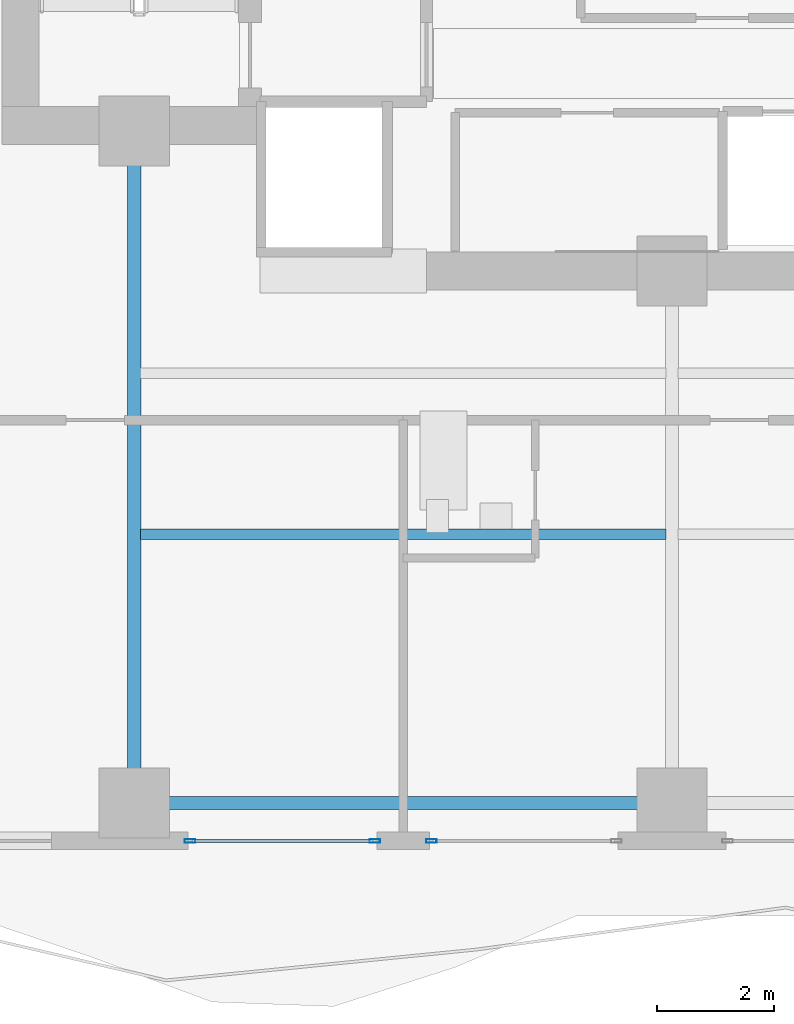
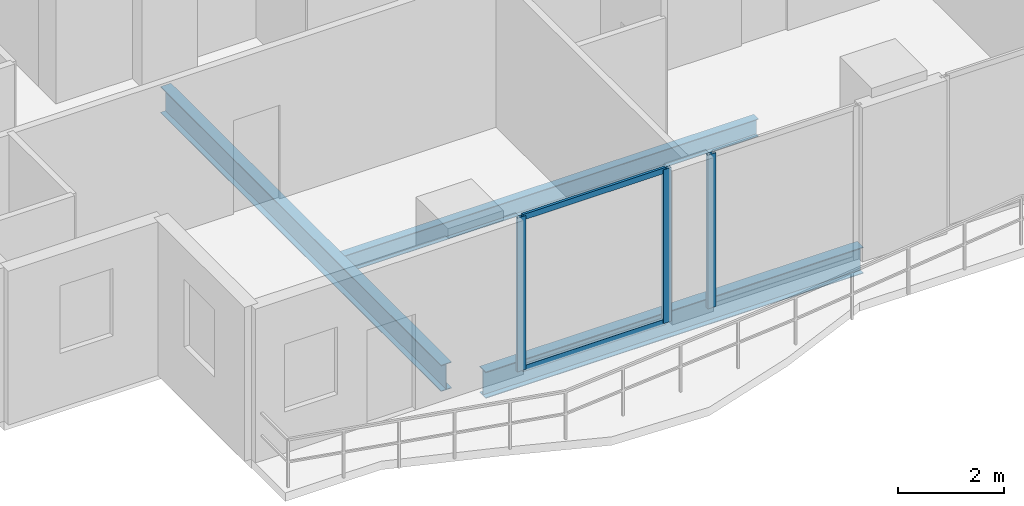
# One storey, part 2 of 33: 5 members, 3 beams, 2 elements without a shape of their own.
"""IFC4 building model written with IfcOpenShell, lengths in metres."""

from ifc_helpers import new_model, si_unit, direction, frame, origin, origin_2d, place, context, subcontext, project, spatial, hollow_rectangle, i_section, extrude, material, layer, layer_set, material_profile, profile_set, type_object, element, aggregate, save


model = new_model("IFC4")

# Units and contexts
model_context = context("Model", 3, precision=1e-05, world=origin(), true_north=direction((0.0, 1.0)))
body_context = subcontext(model_context, "Body", "Model", "MODEL_VIEW")
ifc_project = project(units=[si_unit("LENGTHUNIT", "METRE"), si_unit("AREAUNIT", "SQUARE_METRE"), si_unit("VOLUMEUNIT", "CUBIC_METRE"), si_unit("PLANEANGLEUNIT", "RADIAN"), si_unit("MASSUNIT", "GRAM", prefix="KILO")], contexts=[model_context])

# Site, building, storey
site_placement = place(None, origin())
site = spatial("IfcSite", under=ifc_project, at=site_placement, CompositionType="ELEMENT")
building_placement = place(site_placement, origin())
building = spatial("IfcBuilding", under=site, at=building_placement, Name="Zuhayl Quay Hotel", CompositionType="ELEMENT")
storey_placement = place(building_placement, frame((0.0, 0.0, 222.39990234375)))
storey = spatial("IfcBuildingStorey", under=building, at=storey_placement, Name="L56", CompositionType="ELEMENT", Elevation=222.39990234375)

# Beams
ifc_material_1 = material(Name="Steel ASTM A992 Grade 50", Category="steel")
ifc_material_profile_1 = material_profile(ifc_material_1, i_section(OverallWidth=0.22802734375, OverallDepth=0.60693359375, WebThickness=0.01123046875, FlangeThickness=0.017333984375, at=origin_2d()), Name="W24X76")
ifc_profile_set_1 = profile_set([ifc_material_profile_1], Name="Steel ASTM A992 Grade 50")
beam_type_1 = type_object("IfcBeamType", Name="BM_B3_W24X76", PredefinedType="BEAM", material=ifc_profile_set_1)
beam_1_placement = place(storey_placement, frame((-13.300048828125, -6.949951171875, -0.5234375), z_axis=(1.0, 0.0, 0.0), x_axis=(0.0, 1.0, 0.0)))
element("IfcBeam", 1, at=beam_1_placement, inside=storey, type_object=beam_type_1, Name="L56 Floor Beam RG_L56_01", PredefinedType="BEAM", context=body_context, shape_type="SweptSolid", body=[
    extrude(i_section(OverallWidth=0.22802734375, OverallDepth=0.60693359375, WebThickness=0.01123046875, FlangeThickness=0.017333984375, at=origin_2d()), origin(), (0.0, 0.0, 1.0), 8.199951171875),
])
beam_2_placement = place(storey_placement, frame((-13.800048828125, -6.449951171875, -0.5234375), z_axis=(0.0, 1.0, 0.0), x_axis=(-1.0, 0.0, 0.0)))
element("IfcBeam", 2, at=beam_2_placement, inside=storey, type_object=beam_type_1, Name="L56 Floor Beam FG_S_L56_1", PredefinedType="BEAM", context=body_context, shape_type="SweptSolid", body=[
    extrude(i_section(OverallWidth=0.22802734375, OverallDepth=0.60693359375, WebThickness=0.01123046875, FlangeThickness=0.017333984375, at=origin_2d()), origin(), (0.0, 0.0, 1.0), 10.550048828125),
])
ifc_material_profile_2 = material_profile(ifc_material_1, i_section(OverallWidth=0.177978515625, OverallDepth=0.406005859375, WebThickness=0.0078125, FlangeThickness=0.0126953125, at=origin_2d()), Name="W16X40")
ifc_profile_set_2 = profile_set([ifc_material_profile_2], Name="Steel ASTM A992 Grade 50")
beam_type_2 = type_object("IfcBeamType", Name="BM_J2B_W16X40", PredefinedType="JOIST", material=ifc_profile_set_2)
beam_3_placement = place(storey_placement, frame((-13.694091796875, -2.35009765625, -0.4228515625), z_axis=(1.0, 0.0, 0.0), x_axis=(0.0, 1.0, 0.0)))
element("IfcBeam", 3, at=beam_3_placement, inside=storey, type_object=beam_type_2, Name="L56 Floor Beam FJ_L56_7_1", PredefinedType="JOIST", context=body_context, shape_type="SweptSolid", body=[
    extrude(i_section(OverallWidth=0.177978515625, OverallDepth=0.406005859375, WebThickness=0.0078125, FlangeThickness=0.0126953125, at=origin_2d()), origin(), (0.0, 0.0, 1.0), 8.988037109375),
])

# Curtain wall, member
ifc_material_2 = material(Name="Anodised Aluminium 6063-T6", Category="aluminium")
ifc_layer = layer(ifc_material_2, 0.175048828125, Name="Anodised Aluminium 6063-T6", Category="aluminium")
ifc_layer_set = layer_set([ifc_layer], Name="Anodised Aluminium 6063-T6")
curtain_wall_type = type_object("IfcCurtainWallType", Name="CW_SYS_Z3", PredefinedType="USERDEFINED", material=ifc_layer_set)
curtain_wall_1_placement = place(storey_placement, origin())
curtain_wall_1 = element("IfcCurtainWall", 4, at=curtain_wall_1_placement, inside=storey, type_object=curtain_wall_type, Name="L56 Curtain Wall ENV_L56_S_CW6", ObjectType="UNITISED CURTAIN WALL", PredefinedType="USERDEFINED")
ifc_material_3 = material(Name="Black-anodised aluminium 6063-T6", Category="aluminium")
ifc_material_profile_3 = material_profile(ifc_material_3, hollow_rectangle(XDim=0.06494140625, YDim=0.179931640625, WallThickness=0.00341796875, at=origin_2d()), Name="ALU180X65")
ifc_profile_set_3 = profile_set([ifc_material_profile_3], Name="Black-anodised aluminium 6063-T6")
member_type_1 = type_object("IfcMemberType", Name="MB_CW_MUL_180", PredefinedType="MULLION", material=ifc_profile_set_3)
member_1_placement = place(storey_placement, frame((-8.717529296875, -7.60009765625, 0.0), z_axis=(0.0, 0.0, 1.0), x_axis=(0.0, -1.0, 0.0)))
member_1 = element("IfcMember", 5, at=member_1_placement, type_object=member_type_1, Name="CW-Z3 mullion 2", PredefinedType="MULLION", context=body_context, shape_type="SweptSolid", body=[
    extrude(hollow_rectangle(XDim=0.06494140625, YDim=0.179931640625, WallThickness=0.00341796875, at=origin_2d()), origin(), (0.0, 0.0, 1.0), 3.530029296875),
])
aggregate(curtain_wall_1, [member_1])

# Curtain wall, members
curtain_wall_2_placement = place(storey_placement, origin())
curtain_wall_2 = element("IfcCurtainWall", 6, at=curtain_wall_2_placement, inside=storey, type_object=curtain_wall_type, Name="L56 Curtain Wall ENV_L56_S_CW7", ObjectType="UNITISED CURTAIN WALL", PredefinedType="USERDEFINED")
member_2_placement = place(storey_placement, frame((-9.6826171875, -7.60009765625, 0.0), z_axis=(0.0, 0.0, 1.0), x_axis=(0.0, -1.0, 0.0)))
member_2 = element("IfcMember", 7, at=member_2_placement, type_object=member_type_1, Name="CW-Z3 mullion 1", PredefinedType="MULLION", context=body_context, shape_type="SweptSolid", body=[
    extrude(hollow_rectangle(XDim=0.06494140625, YDim=0.179931640625, WallThickness=0.00341796875, at=origin_2d()), origin(), (0.0, 0.0, 1.0), 3.530029296875),
])
member_3_placement = place(storey_placement, frame((-12.847412109375, -7.60009765625, 0.0), z_axis=(0.0, 0.0, 1.0), x_axis=(0.0, -1.0, 0.0)))
member_3 = element("IfcMember", 8, at=member_3_placement, type_object=member_type_1, Name="CW-Z3 mullion 2", PredefinedType="MULLION", context=body_context, shape_type="SweptSolid", body=[
    extrude(hollow_rectangle(XDim=0.06494140625, YDim=0.179931640625, WallThickness=0.00341796875, at=origin_2d()), origin(), (0.0, 0.0, 1.0), 3.530029296875),
])
ifc_material_profile_4 = material_profile(ifc_material_3, hollow_rectangle(XDim=0.054931640625, YDim=0.1298828125, WallThickness=0.0029296875, at=origin_2d()), Name="ALU130X55")
ifc_profile_set_4 = profile_set([ifc_material_profile_4], Name="Black-anodised aluminium 6063-T6")
member_type_2 = type_object("IfcMemberType", Name="MB_CW_TRN_130", PredefinedType="USERDEFINED", material=ifc_profile_set_4)
member_4_placement = place(storey_placement, frame((-9.715087890625, -7.60009765625, 0.027587890625), z_axis=(-1.0, 0.0, 0.0), x_axis=(0.0, -1.0, 0.0)))
member_4 = element("IfcMember", 9, at=member_4_placement, type_object=member_type_2, Name="CW-Z3 transom 1.1", ObjectType="TRANSOM", PredefinedType="USERDEFINED", context=body_context, shape_type="SweptSolid", body=[
    extrude(hollow_rectangle(XDim=0.054931640625, YDim=0.1298828125, WallThickness=0.0029296875, at=origin_2d()), origin(), (0.0, 0.0, 1.0), 3.099853515625),
])
member_5_placement = place(storey_placement, frame((-9.715087890625, -7.60009765625, 3.502685546875), z_axis=(-1.0, 0.0, 0.0), x_axis=(0.0, -1.0, 0.0)))
member_5 = element("IfcMember", 10, at=member_5_placement, type_object=member_type_2, Name="CW-Z3 transom 1.2", ObjectType="TRANSOM", PredefinedType="USERDEFINED", context=body_context, shape_type="SweptSolid", body=[
    extrude(hollow_rectangle(XDim=0.054931640625, YDim=0.1298828125, WallThickness=0.0029296875, at=origin_2d()), origin(), (0.0, 0.0, 1.0), 3.099853515625),
])
aggregate(curtain_wall_2, [member_2, member_3, member_4, member_5])

save(model, "model.ifc")
